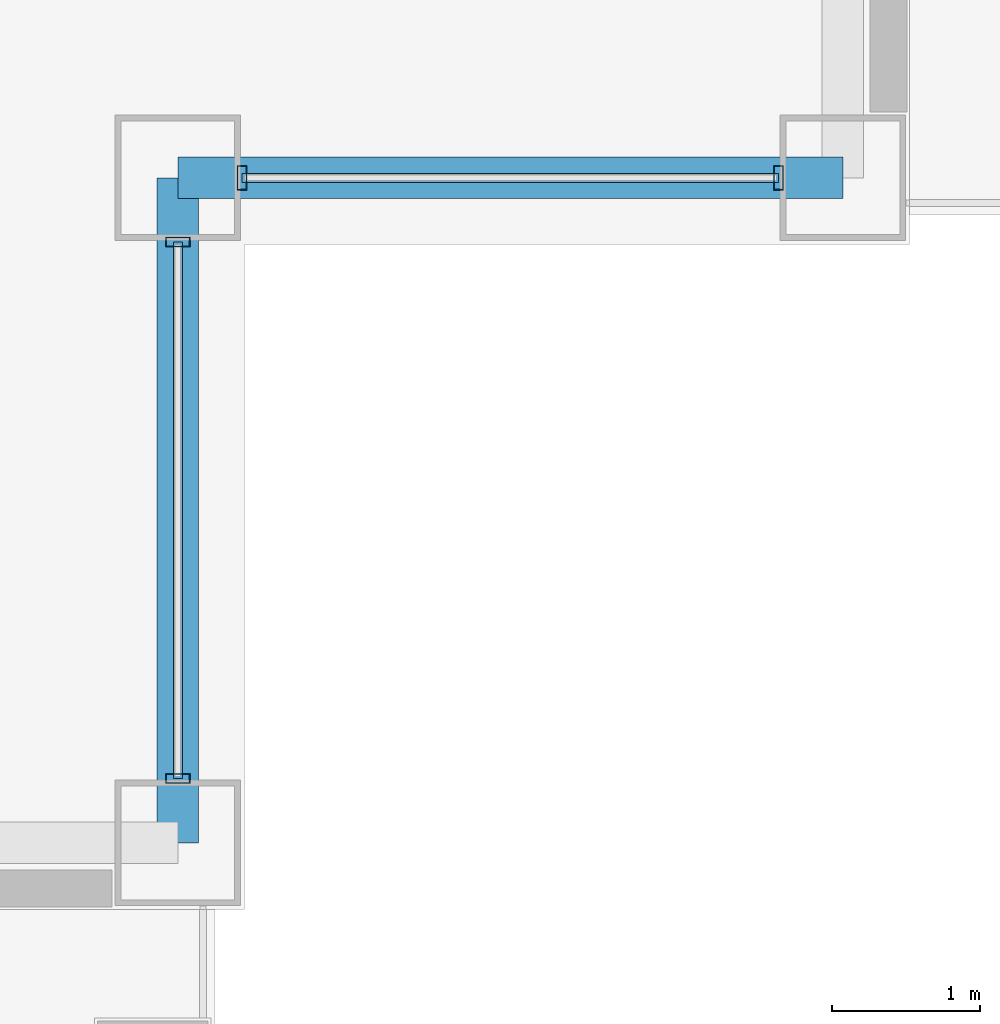
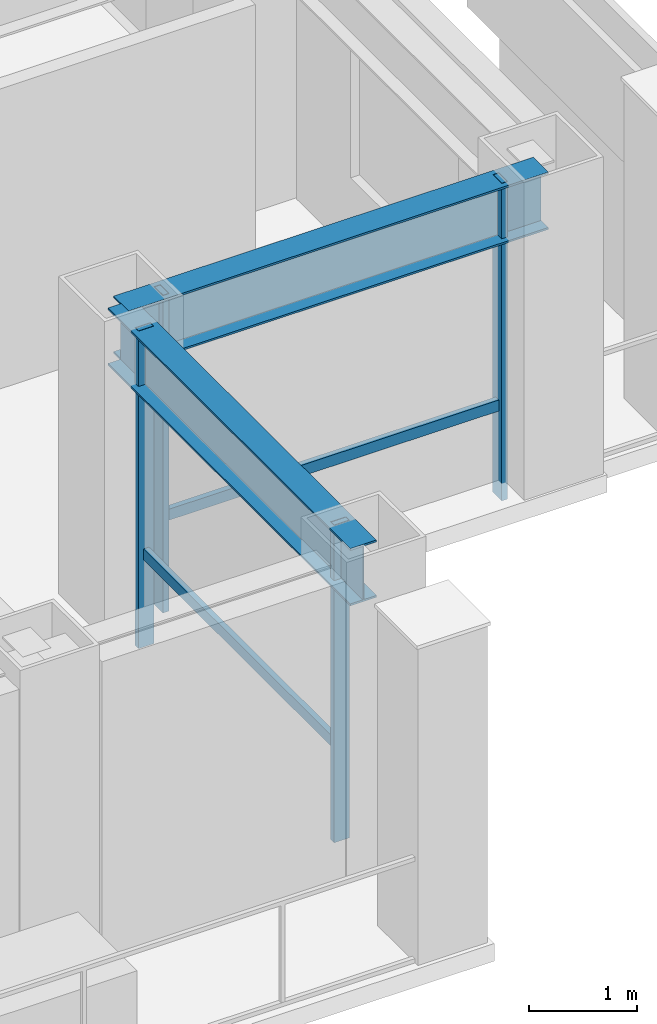
# One storey, part 13 of 31: 6 members, 2 beams, 2 elements without a shape of their own.
"""IFC4 building model written with IfcOpenShell, lengths in metres."""

from ifc_helpers import new_model, si_unit, direction, frame, origin, origin_2d, place, context, subcontext, project, spatial, hollow_rectangle, i_section, extrude, material, layer, layer_set, material_profile, profile_set, type_object, element, aggregate, save


model = new_model("IFC4")

# Units and contexts
model_context = context("Model", 3, precision=1e-05, world=origin(), true_north=direction((0.0, 1.0)))
body_context = subcontext(model_context, "Body", "Model", "MODEL_VIEW")
ifc_project = project(units=[si_unit("LENGTHUNIT", "METRE"), si_unit("AREAUNIT", "SQUARE_METRE"), si_unit("VOLUMEUNIT", "CUBIC_METRE"), si_unit("PLANEANGLEUNIT", "RADIAN"), si_unit("MASSUNIT", "GRAM", prefix="KILO")], contexts=[model_context])

# Site, building, storey
site_placement = place(None, origin())
site = spatial("IfcSite", under=ifc_project, at=site_placement, CompositionType="ELEMENT")
building_placement = place(site_placement, origin())
building = spatial("IfcBuilding", under=site, at=building_placement, Name="Brelmoor Portico Tower", CompositionType="ELEMENT")
storey_placement = place(building_placement, frame((0.0, 0.0, 106.199951171875)))
storey = spatial("IfcBuildingStorey", under=building, at=storey_placement, Name="L27", CompositionType="ELEMENT", Elevation=106.199951171875)

# Beams
ifc_material_1 = material(Name="Steel Q355B", Category="steel")
ifc_material_profile_1 = material_profile(ifc_material_1, i_section(OverallWidth=0.280029296875, OverallDepth=0.64990234375, WebThickness=0.012939453125, FlangeThickness=0.02197265625, at=origin_2d()), Name="HN 650x280x13x22")
ifc_profile_set_1 = profile_set([ifc_material_profile_1], Name="Steel Q355B")
beam_type = type_object("IfcBeamType", Name="BM-SP-650", PredefinedType="SPANDREL", material=ifc_profile_set_1)
for number, where, z_axis, x_axis, name in (
    (1, (18.050048828125, -15.050048828125, 3.074951171875), (1.0, 0.0, 0.0), (0.0, 1.0, 0.0), "L27 Perimeter Spandrel Beam SP-07"),
    (2, (18.050048828125, -19.550048828125, 3.074951171875), (0.0, 1.0, 0.0), (-1.0, 0.0, 0.0), "L27 Perimeter Spandrel Beam SP-20"),
):
    element("IfcBeam", number, at=place(storey_placement, frame(where, z_axis=z_axis, x_axis=x_axis)), inside=storey, type_object=beam_type, Name=name, PredefinedType="SPANDREL", context=body_context, shape_type="SweptSolid", body=[
        extrude(i_section(OverallWidth=0.280029296875, OverallDepth=0.64990234375, WebThickness=0.012939453125, FlangeThickness=0.02197265625, at=origin_2d()), origin(), (0.0, 0.0, 1.0), 4.5),
    ])

# Curtain wall, members
ifc_material_2 = material(Name="Anodised Aluminium Alloy 6063-T6", Category="aluminium")
ifc_layer = layer(ifc_material_2, 0.179931640625)
ifc_layer_set = layer_set([ifc_layer], Name="Anodised Aluminium Alloy 6063-T6")
curtain_wall_type = type_object("IfcCurtainWallType", Name="CW-NOTCH-CHAMFER", PredefinedType="NOTDEFINED", material=ifc_layer_set)
curtain_wall_1_placement = place(storey_placement, origin())
curtain_wall_1 = element("IfcCurtainWall", 3, at=curtain_wall_1_placement, inside=storey, type_object=curtain_wall_type, Name="L27 Curtain Wall CWN-L27-SEH", PredefinedType="NOTDEFINED")
ifc_material_profile_2 = material_profile(ifc_material_2, hollow_rectangle(XDim=0.06494140625, YDim=0.1650390625, WallThickness=0.00390625, at=origin_2d()), Name="ALU MULLION 65x165")
ifc_profile_set_2 = profile_set([ifc_material_profile_2], Name="Anodised Aluminium Alloy 6063-T6")
member_type_1 = type_object("IfcMemberType", Name="MB-CW-MULL-165", PredefinedType="MULLION", material=ifc_profile_set_2)
member_1_placement = place(storey_placement, frame((18.485107421875, -15.050048828125, -0.199951171875), z_axis=(0.0, 0.0, 1.0), x_axis=(1.0, 0.0, 0.0)))
member_1 = element("IfcMember", 4, at=member_1_placement, type_object=member_type_1, Name="CWN-L27-SEH Mullion 00", PredefinedType="MULLION", context=body_context, shape_type="SweptSolid", body=[
    extrude(hollow_rectangle(XDim=0.06494140625, YDim=0.1650390625, WallThickness=0.00390625, at=origin_2d()), origin(), (0.0, 0.0, 1.0), 3.60009765625),
])
member_2_placement = place(storey_placement, frame((22.114990234375, -15.050048828125, -0.199951171875), z_axis=(0.0, 0.0, 1.0), x_axis=(1.0, 0.0, 0.0)))
member_2 = element("IfcMember", 5, at=member_2_placement, type_object=member_type_1, Name="CWN-L27-SEH Mullion 01", PredefinedType="MULLION", context=body_context, shape_type="SweptSolid", body=[
    extrude(hollow_rectangle(XDim=0.06494140625, YDim=0.1650390625, WallThickness=0.00390625, at=origin_2d()), origin(), (0.0, 0.0, 1.0), 3.60009765625),
])

curtain_wall_2_placement = place(storey_placement, origin())
curtain_wall_2 = element("IfcCurtainWall", 6, at=curtain_wall_2_placement, inside=storey, type_object=curtain_wall_type, Name="L27 Curtain Wall CWN-L27-SEV", PredefinedType="NOTDEFINED")
member_3_placement = place(storey_placement, frame((18.050048828125, -19.114990234375, -0.199951171875), z_axis=(0.0, 0.0, 1.0), x_axis=(0.0, 1.0, 0.0)))
member_3 = element("IfcMember", 7, at=member_3_placement, type_object=member_type_1, Name="CWN-L27-SEV Mullion 00", PredefinedType="MULLION", context=body_context, shape_type="SweptSolid", body=[
    extrude(hollow_rectangle(XDim=0.06494140625, YDim=0.1650390625, WallThickness=0.00390625, at=origin_2d()), origin(), (0.0, 0.0, 1.0), 3.60009765625),
])
member_4_placement = place(storey_placement, frame((18.050048828125, -15.485107421875, -0.199951171875), z_axis=(0.0, 0.0, 1.0), x_axis=(0.0, 1.0, 0.0)))
member_4 = element("IfcMember", 8, at=member_4_placement, type_object=member_type_1, Name="CWN-L27-SEV Mullion 01", PredefinedType="MULLION", context=body_context, shape_type="SweptSolid", body=[
    extrude(hollow_rectangle(XDim=0.06494140625, YDim=0.1650390625, WallThickness=0.00390625, at=origin_2d()), origin(), (0.0, 0.0, 1.0), 3.60009765625),
])

# Member
ifc_material_profile_3 = material_profile(ifc_material_2, hollow_rectangle(XDim=0.06005859375, YDim=0.125, WallThickness=0.00341796875, at=origin_2d()), Name="ALU TRANSOM 60x125")
ifc_profile_set_3 = profile_set([ifc_material_profile_3], Name="Anodised Aluminium Alloy 6063-T6")
member_type_2 = type_object("IfcMemberType", Name="MB-CW-TRAN-125", PredefinedType="USERDEFINED", material=ifc_profile_set_3)
member_5_placement = place(storey_placement, frame((18.485107421875, -15.050048828125, 0.85009765625), z_axis=(1.0, 0.0, 0.0), x_axis=(0.0, 1.0, 0.0)))
member_5 = element("IfcMember", 9, at=member_5_placement, type_object=member_type_2, Name="CWN-L27-SEH Transom 1-00", ObjectType="TRANSOM", PredefinedType="USERDEFINED", context=body_context, shape_type="SweptSolid", body=[
    extrude(hollow_rectangle(XDim=0.06005859375, YDim=0.125, WallThickness=0.00341796875, at=origin_2d()), origin(), (0.0, 0.0, 1.0), 3.6298828125),
])

aggregate(curtain_wall_1, [member_1, member_2, member_5])

member_6_placement = place(storey_placement, frame((18.050048828125, -19.114990234375, 0.85009765625), z_axis=(0.0, 1.0, 0.0), x_axis=(-1.0, 0.0, 0.0)))
member_6 = element("IfcMember", 10, at=member_6_placement, type_object=member_type_2, Name="CWN-L27-SEV Transom 1-00", ObjectType="TRANSOM", PredefinedType="USERDEFINED", context=body_context, shape_type="SweptSolid", body=[
    extrude(hollow_rectangle(XDim=0.06005859375, YDim=0.125, WallThickness=0.00341796875, at=origin_2d()), origin(), (0.0, 0.0, 1.0), 3.6298828125),
])

aggregate(curtain_wall_2, [member_3, member_4, member_6])

save(model, "model.ifc")
